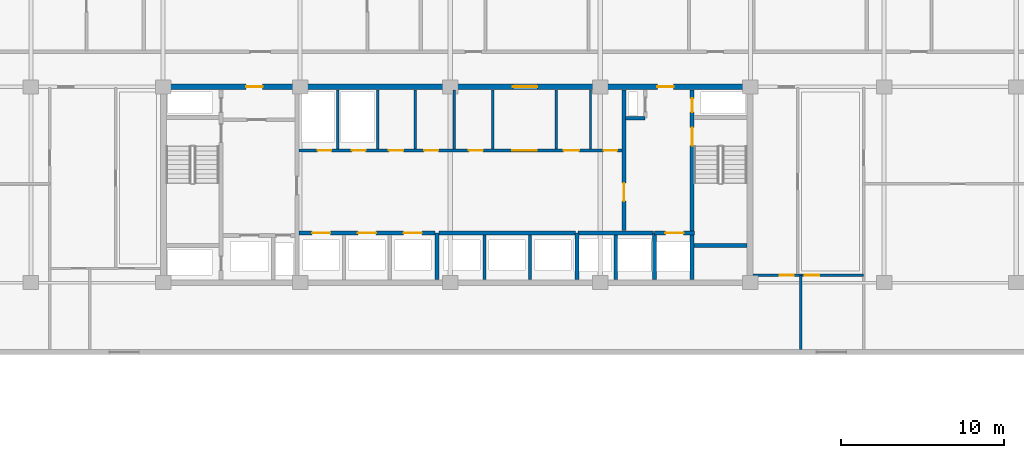
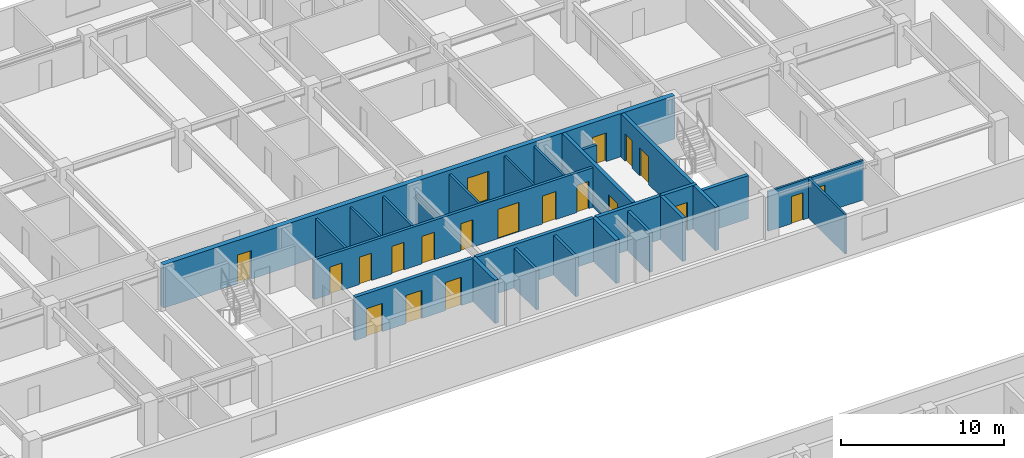
# One storey, part 12 of 22: 25 walls, 20 doors, 20 openings.
"""IFC4 building model written with IfcOpenShell, lengths in metres."""

import ifcopenshell
import ifcopenshell.guid

model = None  # the IFC model being written
_history = None  # IfcOwnerHistory: only IFC2X3 demands one
_inside = {}  # id of a spatial element -> (the spatial element, [elements in it])
_under = {}  # id of a project, library or spatial element -> (it, [spatial elements below it])
_declared = {}  # id of a project -> (the project, [libraries it declares])
_typed = {}  # id of a type object -> (the type object, [elements of that type])
_made_of = {}  # id of a material, layer set ... -> (it, [elements and type objects made of it])


def new_model(schema):
    """Start an empty IFC model of exactly this schema.

    Asked for "IFC4X3", IfcOpenShell would pick the latest addendum, in which some entities
    have other attributes; the version numbers below select the first issue.
    IFC2X3 requires an IfcOwnerHistory on every rooted entity: one is made here for all.
    """
    global model, _history
    if schema == "IFC4X3":
        model = ifcopenshell.file(schema_version=(4, 3, 0, 0))
    else:
        model = ifcopenshell.file(schema=schema)
    _inside.clear()
    _under.clear()
    _declared.clear()
    _typed.clear()
    _made_of.clear()
    _history = None
    if model.schema == "IFC2X3":
        org = make("IfcOrganization", Name="unknown")
        user = make(
            "IfcPersonAndOrganization",
            ThePerson=make("IfcPerson", FamilyName="unknown"),
            TheOrganization=org,
        )
        app = make(
            "IfcApplication",
            ApplicationDeveloper=org,
            Version="unknown",
            ApplicationFullName="unknown",
            ApplicationIdentifier="unknown",
        )
        _history = make(
            "IfcOwnerHistory",
            OwningUser=user,
            OwningApplication=app,
            ChangeAction="ADDED",
            CreationDate=0,
        )
    return model


def make(cls, **values):
    """One entity of the class cls with the attributes given. An attribute that is None is left unset."""
    return model.create_entity(
        cls, **{name: value for name, value in values.items() if value is not None}
    )


def rooted(cls, **values):
    """An entity with a GlobalId (a new one), such as an element, a storey or a relation."""
    return make(cls, GlobalId=ifcopenshell.guid.new(), OwnerHistory=_history, **values)


def si_unit(unit_type, name, prefix=None):
    """IfcSIUnit, for example si_unit("LENGTHUNIT", "METRE", prefix="MILLI")."""
    return make("IfcSIUnit", UnitType=unit_type, Prefix=prefix, Name=name)


def assignment(units):
    """IfcUnitAssignment: the units of a project."""
    return None if units is None else make("IfcUnitAssignment", Units=units)


def point(xyz):
    """IfcCartesianPoint."""
    return None if xyz is None else make("IfcCartesianPoint", Coordinates=xyz)


def direction(xyz):
    """IfcDirection."""
    return None if xyz is None else make("IfcDirection", DirectionRatios=xyz)


def frame(location, z_axis=None, x_axis=None):
    """IfcAxis2Placement3D, a coordinate frame: its origin and axes. An axis left out is left unset."""
    return make(
        "IfcAxis2Placement3D",
        Location=point(location),
        Axis=direction(z_axis),
        RefDirection=direction(x_axis),
    )


def frame_2d(location, x_axis=None):
    """IfcAxis2Placement2D, a coordinate frame in the plane: its origin and x axis."""
    return make(
        "IfcAxis2Placement2D", Location=point(location), RefDirection=direction(x_axis)
    )


def origin():
    """The frame at (0, 0, 0) with its axes left unset."""
    return frame((0.0, 0.0, 0.0))


def place(relative_to, where):
    """IfcLocalPlacement: puts the frame where relative to a parent placement (None: the world)."""
    return make(
        "IfcLocalPlacement", PlacementRelTo=relative_to, RelativePlacement=where
    )


def context(
    kind, dimensions, precision=None, world=None, true_north=None, identifier=None
):
    """IfcGeometricRepresentationContext, for example the 3D "Model" context."""
    return make(
        "IfcGeometricRepresentationContext",
        ContextIdentifier=identifier,
        ContextType=kind,
        CoordinateSpaceDimension=dimensions,
        Precision=precision,
        WorldCoordinateSystem=world,
        TrueNorth=true_north,
    )


def subcontext(parent, identifier, kind, view, scale=None):
    """IfcGeometricRepresentationSubContext, for example "Body" below "Model"."""
    return make(
        "IfcGeometricRepresentationSubContext",
        ContextIdentifier=identifier,
        ContextType=kind,
        ParentContext=parent,
        TargetScale=scale,
        TargetView=view,
    )


def project(units=None, contexts=None):
    """IfcProject with its units and contexts."""
    return rooted(
        "IfcProject",
        Name="project",
        RepresentationContexts=contexts,
        UnitsInContext=assignment(units),
    )


def spatial(cls, under=None, at=None, **own):
    """A site, building, storey or space (cls), placed at a placement, below another one or the project."""
    s = rooted(cls, ObjectPlacement=at, **own)
    if under is not None:
        _under.setdefault(under.id(), (under, []))[1].append(s)
    return s


def profile(cls, at=None, kind="AREA", **sizes):
    """A parametric profile (cls). Its sizes go by their IFC names, for example OverallWidth=200.0."""
    return make(cls, ProfileType=kind, Position=at, **sizes)


def rectangle(**sizes):
    """IfcRectangleProfileDef."""
    return profile("IfcRectangleProfileDef", **sizes)


def extrude(swept, where, along, depth):
    """IfcExtrudedAreaSolid: the profile swept, set in the frame where, extruded along a direction by depth."""
    return make(
        "IfcExtrudedAreaSolid",
        SweptArea=swept,
        Position=where,
        ExtrudedDirection=direction(along),
        Depth=depth,
    )


def shape(context_of_items, identifier, shape_type, items):
    """IfcShapeRepresentation: the items that make up one representation, for example the "Body"."""
    return make(
        "IfcShapeRepresentation",
        ContextOfItems=context_of_items,
        RepresentationIdentifier=identifier,
        RepresentationType=shape_type,
        Items=items,
    )


def material(Name=None, Category=None):
    """IfcMaterial."""
    return make("IfcMaterial", Name=Name, Category=Category)


def layer(
    of_material, thickness, ventilated=None, Name=None, Category=None, Priority=None
):
    """IfcMaterialLayer: one layer of a wall or slab, of a material (None: an air gap)."""
    return make(
        "IfcMaterialLayer",
        Material=of_material,
        LayerThickness=thickness,
        IsVentilated=ventilated,
        Name=Name,
        Category=Category,
        Priority=Priority,
    )


def layer_set(layers, Name=None):
    """IfcMaterialLayerSet."""
    return make("IfcMaterialLayerSet", MaterialLayers=layers, LayerSetName=Name)


def made_of(thing, what):
    """Note that an element or type object is made of a material, layer set ...; save() writes the relation."""
    if what is not None:
        _made_of.setdefault(what.id(), (what, []))[1].append(thing)
    return thing


def type_object(cls, material=None, **own):
    """A type object (cls), such as IfcWallType, which elements share."""
    return made_of(rooted(cls, **own), material)


def element(
    cls,
    number,
    at=None,
    inside=None,
    cuts=None,
    type_object=None,
    material=None,
    context=None,
    identifier="Body",
    shape_type=None,
    held_by="IfcProductDefinitionShape",
    body=None,
    shapes=None,
    **own,
):
    """One element of the class cls, such as IfcWall. Its Tag is "e" and its number.

    at: its placement. inside: the storey or other place that contains it. cuts: it is an
    opening in that element (IfcRelVoidsElement). A single representation is given by context,
    identifier, shape_type and body (its items); several are given by shapes. held_by: the class
    of the entity that holds the representations. save() writes the other relations.
    """
    e = rooted(cls, Tag="e%d" % number, ObjectPlacement=at, **own)
    if body is not None:
        shapes = [shape(context, identifier, shape_type, body)]
    if shapes is not None:
        e.Representation = make(held_by, Representations=shapes)
    if inside is not None:
        _inside.setdefault(inside.id(), (inside, []))[1].append(e)
    if cuts is not None:
        rooted(
            "IfcRelVoidsElement", RelatingBuildingElement=cuts, RelatedOpeningElement=e
        )
    if type_object is not None:
        _typed.setdefault(type_object.id(), (type_object, []))[1].append(e)
    return made_of(e, material)


def fill(opening, filler):
    """IfcRelFillsElement: the door or window that sits in an opening."""
    return rooted(
        "IfcRelFillsElement",
        RelatingOpeningElement=opening,
        RelatedBuildingElement=filler,
    )


def aggregate(whole, parts):
    """IfcRelAggregates: a whole, such as a stair, and the parts it consists of."""
    return rooted("IfcRelAggregates", RelatingObject=whole, RelatedObjects=parts)


def save(model, path):
    """Write the relations noted so far, then the file.

    IfcRelAggregates (storeys below a building ...), IfcRelContainedInSpatialStructure (elements
    in a storey), IfcRelDefinesByType, IfcRelAssociatesMaterial and IfcRelDeclares: one each for
    every whole, place, type object, material and project.
    """
    for whole, parts in _under.values():
        aggregate(whole, parts)
    for where, things in _inside.values():
        rooted(
            "IfcRelContainedInSpatialStructure",
            RelatedElements=things,
            RelatingStructure=where,
        )
    for kind, things in _typed.values():
        rooted("IfcRelDefinesByType", RelatedObjects=things, RelatingType=kind)
    for what, things in _made_of.values():
        rooted("IfcRelAssociatesMaterial", RelatedObjects=things, RelatingMaterial=what)
    for by, libraries in _declared.values():
        rooted("IfcRelDeclares", RelatingContext=by, RelatedDefinitions=libraries)
    model.write(path)


model = new_model("IFC4")

# Units and contexts
model_context = context("Model", 3, precision=1e-05, world=origin(), true_north=direction((0.0, 1.0)))
body_context = subcontext(model_context, "Body", "Model", "MODEL_VIEW")
ifc_project = project(units=[si_unit("LENGTHUNIT", "METRE"), si_unit("AREAUNIT", "SQUARE_METRE"), si_unit("VOLUMEUNIT", "CUBIC_METRE"), si_unit("PLANEANGLEUNIT", "RADIAN"), si_unit("MASSUNIT", "GRAM", prefix="KILO")], contexts=[model_context])

# Site, building, storey
site_placement = place(None, origin())
site = spatial("IfcSite", under=ifc_project, at=site_placement, CompositionType="ELEMENT")
building_placement = place(site_placement, origin())
building = spatial("IfcBuilding", under=site, at=building_placement, Name="Korimba Cascade Residences", CompositionType="ELEMENT")
storey_placement = place(building_placement, frame((0.0, 0.0, 90.550048828125)))
storey = spatial("IfcBuildingStorey", under=building, at=storey_placement, Name="L25", CompositionType="ELEMENT", Elevation=90.550048828125)

# Wall, openings, doors
ifc_material_1 = material(Name="Concrete C65/80", Category="concrete")
ifc_layer_1 = layer(ifc_material_1, 0.35009765625)
ifc_layer_set_1 = layer_set([ifc_layer_1], Name="Concrete C65/80")
wall_type_1 = type_object("IfcWallType", Name="WAL-CORE-350", PredefinedType="SHEAR", material=ifc_layer_set_1)
wall_1_placement = place(storey_placement, frame((75.949951171875, 67.199951171875, 0.0), z_axis=(0.0, 0.0, 1.0), x_axis=(1.0, 0.0, 0.0)))
wall_1 = element("IfcWall", 1, at=wall_1_placement, inside=storey, type_object=wall_type_1, Name="L25 Core Shear Wall CW-L25-T1-N", PredefinedType="SHEAR", context=body_context, shape_type="SweptSolid", body=[
    extrude(rectangle(XDim=36.300048828125, YDim=0.35009765625, at=frame_2d((18.14990234375, 0.0))), origin(), (0.0, 0.0, 1.0), 3.25),
])
opening_1_placement = place(wall_1_placement, frame((5.25, 0.0, 0.0)))
opening_1 = element("IfcOpeningElement", 2, at=opening_1_placement, cuts=wall_1, Name="Opening D-FD5", PredefinedType="OPENING", context=body_context, shape_type="SweptSolid", body=[
    extrude(rectangle(XDim=1.0, YDim=2.14990234375, at=frame_2d((0.5, 1.074951171875))), frame((0.0, 0.18505859375, 0.0), z_axis=(0.0, -1.0, 0.0), x_axis=(1.0, 0.0, 0.0)), (0.0, 0.0, 1.0), 0.3701171875),
])
opening_2_placement = place(wall_1_placement, frame((21.60009765625, 0.0, 0.0)))
opening_2 = element("IfcOpeningElement", 3, at=opening_2_placement, cuts=wall_1, Name="Opening D-FD8", PredefinedType="OPENING", context=body_context, shape_type="SweptSolid", body=[
    extrude(rectangle(XDim=1.5, YDim=2.199951171875, at=frame_2d((0.75, 1.10009765625))), frame((0.0, 0.18505859375, 0.0), z_axis=(0.0, -1.0, 0.0), x_axis=(1.0, 0.0, 0.0)), (0.0, 0.0, 1.0), 0.3701171875),
])
opening_3_placement = place(wall_1_placement, frame((30.449951171875, 0.0, 0.0)))
opening_3 = element("IfcOpeningElement", 4, at=opening_3_placement, cuts=wall_1, Name="Opening D-FD5", PredefinedType="OPENING", context=body_context, shape_type="SweptSolid", body=[
    extrude(rectangle(XDim=1.0, YDim=2.14990234375, at=frame_2d((0.5, 1.074951171875))), frame((0.0, 0.18505859375, 0.0), z_axis=(0.0, -1.0, 0.0), x_axis=(1.0, 0.0, 0.0)), (0.0, 0.0, 1.0), 0.3701171875),
])
ifc_material_2 = material(Name="Fire-Rated Acoustic Timber Vestibule Door", Category="wood")
door_type_1 = type_object("IfcDoorType", Name="DR-FD90-1000", OperationType="NOTDEFINED", PredefinedType="DOOR", material=ifc_material_2)
door_1_placement = place(opening_1_placement, origin())
door_1 = element("IfcDoor", 5, at=door_1_placement, inside=storey, type_object=door_type_1, Name="L25 T1 West Core Vestibule Fire Door", OperationType="SINGLE_SWING_RIGHT", OverallHeight=2.14990234375, OverallWidth=1.0, PredefinedType="DOOR", context=body_context, shape_type="SweptSolid", body=[
    extrude(rectangle(XDim=1.0, YDim=2.14990234375, at=frame_2d((0.5, 1.074951171875))), frame((0.0, 0.02490234375, 0.0), z_axis=(0.0, -1.0, 0.0), x_axis=(1.0, 0.0, 0.0)), (0.0, 0.0, 1.0), 0.050048828125),
])
fill(opening_1, door_1)
door_2_placement = place(opening_3_placement, origin())
door_2 = element("IfcDoor", 6, at=door_2_placement, inside=storey, type_object=door_type_1, Name="L25 T1 East Firefighting Vestibule Fire Door", OperationType="SINGLE_SWING_LEFT", OverallHeight=2.14990234375, OverallWidth=1.0, PredefinedType="DOOR", context=body_context, shape_type="SweptSolid", body=[
    extrude(rectangle(XDim=1.0, YDim=2.14990234375, at=frame_2d((0.5, 1.074951171875))), frame((0.0, 0.02490234375, 0.0), z_axis=(0.0, -1.0, 0.0), x_axis=(1.0, 0.0, 0.0)), (0.0, 0.0, 1.0), 0.050048828125),
])
fill(opening_3, door_2)
ifc_material_3 = material(Name="Fire-Rated Glazed Lift Lobby Double Door", Category="glass")
door_type_2 = type_object("IfcDoorType", Name="DR-FD90-1500", OperationType="NOTDEFINED", PredefinedType="DOOR", material=ifc_material_3)
door_3_placement = place(opening_2_placement, origin())
door_3 = element("IfcDoor", 7, at=door_3_placement, inside=storey, type_object=door_type_2, Name="L25 T1 Lift Lobby Fire Door", OperationType="DOUBLE_DOOR_SINGLE_SWING", OverallHeight=2.199951171875, OverallWidth=1.5, PredefinedType="DOOR", context=body_context, shape_type="SweptSolid", body=[
    extrude(rectangle(XDim=1.5, YDim=2.199951171875, at=frame_2d((0.75, 1.10009765625))), frame((0.0, 0.02490234375, 0.0), z_axis=(0.0, -1.0, 0.0), x_axis=(1.0, 0.0, 0.0)), (0.0, 0.0, 1.0), 0.050048828125),
])
fill(opening_2, door_3)

# Walls
ifc_material_4 = material(Name="Insulated Acoustic Stud Partition", Category="gypsum")
ifc_layer_2 = layer(ifc_material_4, 0.14990234375)
ifc_layer_set_2 = layer_set([ifc_layer_2], Name="Insulated Acoustic Stud Partition")
wall_type_2 = type_object("IfcWallType", Name="WAL-PART-150", PredefinedType="PARTITIONING", material=ifc_layer_set_2)
for number, where, z_axis, x_axis, name in (
    (8, (86.800048828125, 63.39990234375, 0.0), (0.0, 0.0, 1.0), (0.0, 1.0, 0.0), "L25 Partition Wall CW-L25-T1-ERDIV"),
    (9, (89.25, 63.39990234375, 0.0), (0.0, 0.0, 1.0), (0.0, 1.0, 0.0), "L25 Partition Wall CW-L25-T1-PRDIV"),
    (10, (91.550048828125, 63.39990234375, 0.0), (0.0, 0.0, 1.0), (0.0, 1.0, 0.0), "L25 Partition Wall CW-L25-T1-CA1W1"),
):
    element("IfcWall", number, at=place(storey_placement, frame(where, z_axis=z_axis, x_axis=x_axis)), inside=storey, type_object=wall_type_2, Name=name, PredefinedType="PARTITIONING", context=body_context, shape_type="SweptSolid", body=[
        extrude(rectangle(XDim=3.60009765625, YDim=0.14990234375, at=frame_2d((1.800048828125, 0.0))), origin(), (0.0, 0.0, 1.0), 2.969970703125),
    ])
wall_2_placement = place(storey_placement, frame((93.949951171875, 63.39990234375, 0.0), z_axis=(0.0, 0.0, 1.0), x_axis=(0.0, 1.0, 0.0)))
element("IfcWall", 11, at=wall_2_placement, inside=storey, type_object=wall_type_2, Name="L25 Partition Wall CW-L25-T1-CA1W2", PredefinedType="PARTITIONING", context=body_context, shape_type="SweptSolid", body=[
    extrude(rectangle(XDim=3.60009765625, YDim=0.14990234375, at=frame_2d((1.800048828125, 0.0))), origin(), (0.0, 0.0, 1.0), 2.277099609375),
])
for number, where, z_axis, x_axis, name in (
    (12, (102.300048828125, 63.39990234375, 0.0), (0.0, 0.0, 1.0), (0.0, 1.0, 0.0), "L25 Partition Wall CW-L25-T1-CA1E1"),
    (13, (96.300048828125, 63.39990234375, 0.0), (0.0, 0.0, 1.0), (0.0, 1.0, 0.0), "L25 Partition Wall CW-L25-T1-THW"),
    (14, (100.199951171875, 63.39990234375, 0.0), (0.0, 0.0, 1.0), (0.0, 1.0, 0.0), "L25 Partition Wall CW-L25-T1-THE"),
):
    element("IfcWall", number, at=place(storey_placement, frame(where, z_axis=z_axis, x_axis=x_axis)), inside=storey, type_object=wall_type_2, Name=name, PredefinedType="PARTITIONING", context=body_context, shape_type="SweptSolid", body=[
        extrude(rectangle(XDim=3.60009765625, YDim=0.14990234375, at=frame_2d((1.800048828125, 0.0))), origin(), (0.0, 0.0, 1.0), 2.969970703125),
    ])
wall_3_placement = place(storey_placement, frame((115.199951171875, 51.10009765625, 0.0), z_axis=(0.0, 0.0, 1.0), x_axis=(0.0, 1.0, 0.0)))
element("IfcWall", 15, at=wall_3_placement, inside=storey, type_object=wall_type_2, Name="L25 Partition Wall WAL-L25-T1-FE-VS", PredefinedType="PARTITIONING", context=body_context, shape_type="SweptSolid", body=[
    extrude(rectangle(XDim=4.5498046875, YDim=0.14990234375, at=frame_2d((2.27490234375, 0.0))), origin(), (0.0, 0.0, 1.0), 2.969970703125),
])

# Wall, openings, doors
wall_4_placement = place(storey_placement, frame((112.27001953125, 55.64990234375, 0.0), z_axis=(0.0, 0.0, 1.0), x_axis=(1.0, 0.0, 0.0)))
wall_4 = element("IfcWall", 16, at=wall_4_placement, inside=storey, type_object=wall_type_2, Name="L25 Partition Wall WAL-L25-T1-FE-H", PredefinedType="PARTITIONING", context=body_context, shape_type="SweptSolid", body=[
    extrude(rectangle(XDim=6.760009765625, YDim=0.14990234375, at=frame_2d((3.3798828125, 0.0))), origin(), (0.0, 0.0, 1.0), 2.969970703125),
])
opening_4_placement = place(wall_4_placement, frame((1.6396484375, 0.0, 0.0)))
opening_4 = element("IfcOpeningElement", 17, at=opening_4_placement, cuts=wall_4, Name="Opening D-BT1", PredefinedType="OPENING", context=body_context, shape_type="SweptSolid", body=[
    extrude(rectangle(XDim=0.840087890625, YDim=2.0400390625, at=frame_2d((0.419921875, 1.02001953125))), frame((0.0, 0.0849609375, 0.0), z_axis=(0.0, -1.0, 0.0), x_axis=(1.0, 0.0, 0.0)), (0.0, 0.0, 1.0), 0.169921875),
])
opening_5_placement = place(wall_4_placement, frame((3.160400390625, 0.0, 0.0)))
opening_5 = element("IfcOpeningElement", 18, at=opening_5_placement, cuts=wall_4, Name="Opening D-IN2", PredefinedType="OPENING", context=body_context, shape_type="SweptSolid", body=[
    extrude(rectangle(XDim=0.8798828125, YDim=2.06005859375, at=frame_2d((0.43994140625, 1.030029296875))), frame((0.0, 0.0849609375, 0.0), z_axis=(0.0, -1.0, 0.0), x_axis=(1.0, 0.0, 0.0)), (0.0, 0.0, 1.0), 0.169921875),
])
ifc_material_5 = material(Name="Moisture-Resistant Bathroom Timber Door", Category="wood")
door_type_3 = type_object("IfcDoorType", Name="DR-INT-850", OperationType="NOTDEFINED", PredefinedType="DOOR", material=ifc_material_5)
door_4_placement = place(opening_4_placement, origin())
door_4 = element("IfcDoor", 19, at=door_4_placement, inside=storey, type_object=door_type_3, Name="L25-T1-FE Bathroom Door", OperationType="SINGLE_SWING_RIGHT", OverallHeight=2.0400390625, OverallWidth=0.840087890625, PredefinedType="DOOR", context=body_context, shape_type="SweptSolid", body=[
    extrude(rectangle(XDim=0.840087890625, YDim=2.0400390625, at=frame_2d((0.419921875, 1.02001953125))), frame((0.0, 0.02490234375, 0.0), z_axis=(0.0, -1.0, 0.0), x_axis=(1.0, 0.0, 0.0)), (0.0, 0.0, 1.0), 0.050048828125),
])
fill(opening_4, door_4)
ifc_material_6 = material(Name="Acoustic Timber Bedroom Door", Category="wood")
door_type_4 = type_object("IfcDoorType", Name="DR-INT-880", OperationType="NOTDEFINED", PredefinedType="DOOR", material=ifc_material_6)
door_5_placement = place(opening_5_placement, origin())
door_5 = element("IfcDoor", 20, at=door_5_placement, inside=storey, type_object=door_type_4, Name="L25-T1-FE Bedroom Door", OperationType="SINGLE_SWING_LEFT", OverallHeight=2.06005859375, OverallWidth=0.8798828125, PredefinedType="DOOR", context=body_context, shape_type="SweptSolid", body=[
    extrude(rectangle(XDim=0.8798828125, YDim=2.06005859375, at=frame_2d((0.43994140625, 1.030029296875))), frame((0.0, 0.02490234375, 0.0), z_axis=(0.0, -1.0, 0.0), x_axis=(1.0, 0.0, 0.0)), (0.0, 0.0, 1.0), 0.050048828125),
])
fill(opening_5, door_5)

# Walls
ifc_material_7 = material(Name="Concrete C40/50", Category="concrete")
ifc_layer_3 = layer(ifc_material_7, 0.199951171875)
ifc_layer_set_3 = layer_set([ifc_layer_3], Name="Concrete C40/50")
wall_type_3 = type_object("IfcWallType", Name="WAL-PART-200", PredefinedType="PARTITIONING", material=ifc_layer_set_3)
for number, where, z_axis, x_axis, name in (
    (21, (95.800048828125, 55.39990234375, 0.0), (0.0, 0.0, 1.0), (0.0, 1.0, 0.0), "L25 Partition Wall CW-L25-T1-B2D1"),
    (22, (98.60009765625, 55.39990234375, 0.0), (0.0, 0.0, 1.0), (0.0, 1.0, 0.0), "L25 Partition Wall CW-L25-T1-B2D2"),
    (23, (103.85009765625, 55.39990234375, 0.0), (0.0, 0.0, 1.0), (0.0, 1.0, 0.0), "L25 Partition Wall CW-L25-T1-B3D1"),
):
    element("IfcWall", number, at=place(storey_placement, frame(where, z_axis=z_axis, x_axis=x_axis)), inside=storey, type_object=wall_type_3, Name=name, PredefinedType="PARTITIONING", context=body_context, shape_type="SweptSolid", body=[
        extrude(rectangle(XDim=2.72021484375, YDim=0.199951171875, at=frame_2d((1.360107421875, 0.0))), origin(), (0.0, 0.0, 1.0), 2.969970703125),
    ])

# Wall, openings, doors
wall_5_placement = place(storey_placement, frame((84.419921875, 63.300048828125, 0.0), z_axis=(0.0, 0.0, 1.0), x_axis=(1.0, 0.0, 0.0)))
wall_5 = element("IfcWall", 24, at=wall_5_placement, inside=storey, type_object=wall_type_3, Name="L25 Partition Wall CW-L25-T1-SRVROW", PredefinedType="PARTITIONING", context=body_context, shape_type="SweptSolid", body=[
    extrude(rectangle(XDim=19.830078125, YDim=0.199951171875, at=frame_2d((9.9150390625, 0.0))), origin(), (0.0, 0.0, 1.0), 2.969970703125),
])
opening_6_placement = place(wall_5_placement, frame((1.14990234375, 0.0, 0.0)))
opening_6 = element("IfcOpeningElement", 25, at=opening_6_placement, cuts=wall_5, Name="Opening D-RS1", PredefinedType="OPENING", context=body_context, shape_type="SweptSolid", body=[
    extrude(rectangle(XDim=0.85009765625, YDim=2.050048828125, at=frame_2d((0.425048828125, 1.02490234375))), frame((0.0, 0.10986328125, 0.0), z_axis=(0.0, -1.0, 0.0), x_axis=(1.0, 0.0, 0.0)), (0.0, 0.0, 1.0), 0.219970703125),
])
opening_7_placement = place(wall_5_placement, frame((3.25, 0.0, 0.0)))
opening_7 = element("IfcOpeningElement", 26, at=opening_7_placement, cuts=wall_5, Name="Opening D-RS1", PredefinedType="OPENING", context=body_context, shape_type="SweptSolid", body=[
    extrude(rectangle(XDim=0.85009765625, YDim=2.050048828125, at=frame_2d((0.425048828125, 1.02490234375))), frame((0.0, 0.10986328125, 0.0), z_axis=(0.0, -1.0, 0.0), x_axis=(1.0, 0.0, 0.0)), (0.0, 0.0, 1.0), 0.219970703125),
])
opening_8_placement = place(wall_5_placement, frame((13.080078125, 0.0, 0.0)))
opening_8 = element("IfcOpeningElement", 27, at=opening_8_placement, cuts=wall_5, Name="Opening D-FD8", PredefinedType="OPENING", context=body_context, shape_type="SweptSolid", body=[
    extrude(rectangle(XDim=1.5, YDim=2.199951171875, at=frame_2d((0.75, 1.10009765625))), frame((0.0, 0.10986328125, 0.0), z_axis=(0.0, -1.0, 0.0), x_axis=(1.0, 0.0, 0.0)), (0.0, 0.0, 1.0), 0.219970703125),
])
opening_9_placement = place(wall_5_placement, frame((5.530029296875, 0.0, 0.0)))
opening_9 = element("IfcOpeningElement", 28, at=opening_9_placement, cuts=wall_5, Name="Opening D-IN2", PredefinedType="OPENING", context=body_context, shape_type="SweptSolid", body=[
    extrude(rectangle(XDim=0.8798828125, YDim=2.06005859375, at=frame_2d((0.43994140625, 1.030029296875))), frame((0.0, 0.10986328125, 0.0), z_axis=(0.0, -1.0, 0.0), x_axis=(1.0, 0.0, 0.0)), (0.0, 0.0, 1.0), 0.219970703125),
])
opening_10_placement = place(wall_5_placement, frame((7.679931640625, 0.0, 0.0)))
opening_10 = element("IfcOpeningElement", 29, at=opening_10_placement, cuts=wall_5, Name="Opening D-IN2", PredefinedType="OPENING", context=body_context, shape_type="SweptSolid", body=[
    extrude(rectangle(XDim=0.8798828125, YDim=2.06005859375, at=frame_2d((0.43994140625, 1.030029296875))), frame((0.0, 0.10986328125, 0.0), z_axis=(0.0, -1.0, 0.0), x_axis=(1.0, 0.0, 0.0)), (0.0, 0.0, 1.0), 0.219970703125),
])
opening_11_placement = place(wall_5_placement, frame((10.429931640625, 0.0, 0.0)))
opening_11 = element("IfcOpeningElement", 30, at=opening_11_placement, cuts=wall_5, Name="Opening D-RS1", PredefinedType="OPENING", context=body_context, shape_type="SweptSolid", body=[
    extrude(rectangle(XDim=0.85009765625, YDim=2.050048828125, at=frame_2d((0.425048828125, 1.02490234375))), frame((0.0, 0.10986328125, 0.0), z_axis=(0.0, -1.0, 0.0), x_axis=(1.0, 0.0, 0.0)), (0.0, 0.0, 1.0), 0.219970703125),
])
opening_12_placement = place(wall_5_placement, frame((16.22998046875, 0.0, 0.0)))
opening_12 = element("IfcOpeningElement", 31, at=opening_12_placement, cuts=wall_5, Name="Opening D-AC1", PredefinedType="OPENING", context=body_context, shape_type="SweptSolid", body=[
    extrude(rectangle(XDim=0.9599609375, YDim=2.10009765625, at=frame_2d((0.47998046875, 1.050048828125))), frame((0.0, 0.10986328125, 0.0), z_axis=(0.0, -1.0, 0.0), x_axis=(1.0, 0.0, 0.0)), (0.0, 0.0, 1.0), 0.219970703125),
])
opening_13_placement = place(wall_5_placement, frame((18.679931640625, 0.0, 0.0)))
opening_13 = element("IfcOpeningElement", 32, at=opening_13_placement, cuts=wall_5, Name="Opening D-BT1", PredefinedType="OPENING", context=body_context, shape_type="SweptSolid", body=[
    extrude(rectangle(XDim=0.840087890625, YDim=2.0400390625, at=frame_2d((0.419921875, 1.02001953125))), frame((0.0, 0.10986328125, 0.0), z_axis=(0.0, -1.0, 0.0), x_axis=(1.0, 0.0, 0.0)), (0.0, 0.0, 1.0), 0.219970703125),
])
ifc_material_8 = material(Name="Accessible Acoustic Timber WC Door", Category="wood")
door_type_5 = type_object("IfcDoorType", Name="DR-ACC-950", OperationType="NOTDEFINED", PredefinedType="DOOR", material=ifc_material_8)
door_6_placement = place(opening_12_placement, origin())
door_6 = element("IfcDoor", 33, at=door_6_placement, inside=storey, type_object=door_type_5, Name="L25 Accessible Staff WC Door", OperationType="SINGLE_SWING_LEFT", OverallHeight=2.10009765625, OverallWidth=0.9599609375, PredefinedType="DOOR", context=body_context, shape_type="SweptSolid", body=[
    extrude(rectangle(XDim=0.9599609375, YDim=2.10009765625, at=frame_2d((0.47998046875, 1.050048828125))), frame((0.0, 0.02490234375, 0.0), z_axis=(0.0, -1.0, 0.0), x_axis=(1.0, 0.0, 0.0)), (0.0, 0.0, 1.0), 0.050048828125),
])
fill(opening_12, door_6)
ifc_material_9 = material(Name="Fire-Rated Steel Riser Access Door", Category="steel")
door_type_6 = type_object("IfcDoorType", Name="DR-FD60-850", OperationType="NOTDEFINED", PredefinedType="DOOR", material=ifc_material_9)
door_7_placement = place(opening_6_placement, origin())
door_7 = element("IfcDoor", 34, at=door_7_placement, inside=storey, type_object=door_type_6, Name="L25 Electrical Riser Door", OperationType="SINGLE_SWING_RIGHT", OverallHeight=2.050048828125, OverallWidth=0.85009765625, PredefinedType="DOOR", context=body_context, shape_type="SweptSolid", body=[
    extrude(rectangle(XDim=0.85009765625, YDim=2.050048828125, at=frame_2d((0.425048828125, 1.02490234375))), frame((0.0, 0.02490234375, 0.0), z_axis=(0.0, -1.0, 0.0), x_axis=(1.0, 0.0, 0.0)), (0.0, 0.0, 1.0), 0.050048828125),
])
fill(opening_6, door_7)
door_8_placement = place(opening_7_placement, origin())
door_8 = element("IfcDoor", 35, at=door_8_placement, inside=storey, type_object=door_type_6, Name="L25 Plumbing Riser Door", OperationType="SINGLE_SWING_LEFT", OverallHeight=2.050048828125, OverallWidth=0.85009765625, PredefinedType="DOOR", context=body_context, shape_type="SweptSolid", body=[
    extrude(rectangle(XDim=0.85009765625, YDim=2.050048828125, at=frame_2d((0.425048828125, 1.02490234375))), frame((0.0, 0.02490234375, 0.0), z_axis=(0.0, -1.0, 0.0), x_axis=(1.0, 0.0, 0.0)), (0.0, 0.0, 1.0), 0.050048828125),
])
fill(opening_7, door_8)
door_9_placement = place(opening_11_placement, origin())
door_9 = element("IfcDoor", 36, at=door_9_placement, inside=storey, type_object=door_type_6, Name="L25 IT Room Door", OperationType="SINGLE_SWING_RIGHT", OverallHeight=2.050048828125, OverallWidth=0.85009765625, PredefinedType="DOOR", context=body_context, shape_type="SweptSolid", body=[
    extrude(rectangle(XDim=0.85009765625, YDim=2.050048828125, at=frame_2d((0.425048828125, 1.02490234375))), frame((0.0, 0.02490234375, 0.0), z_axis=(0.0, -1.0, 0.0), x_axis=(1.0, 0.0, 0.0)), (0.0, 0.0, 1.0), 0.050048828125),
])
fill(opening_11, door_9)
door_10_placement = place(opening_8_placement, origin())
door_10 = element("IfcDoor", 37, at=door_10_placement, inside=storey, type_object=door_type_2, Name="L25 Lift Lobby Foyer Archway Door", OperationType="DOUBLE_DOOR_SINGLE_SWING", OverallHeight=2.199951171875, OverallWidth=1.5, PredefinedType="DOOR", context=body_context, shape_type="SweptSolid", body=[
    extrude(rectangle(XDim=1.5, YDim=2.199951171875, at=frame_2d((0.75, 1.10009765625))), frame((0.0, 0.02490234375, 0.0), z_axis=(0.0, -1.0, 0.0), x_axis=(1.0, 0.0, 0.0)), (0.0, 0.0, 1.0), 0.050048828125),
])
fill(opening_8, door_10)
door_11_placement = place(opening_13_placement, origin())
door_11 = element("IfcDoor", 38, at=door_11_placement, inside=storey, type_object=door_type_3, Name="L25 Vending Room Door", OperationType="SINGLE_SWING_RIGHT", OverallHeight=2.0400390625, OverallWidth=0.840087890625, PredefinedType="DOOR", context=body_context, shape_type="SweptSolid", body=[
    extrude(rectangle(XDim=0.840087890625, YDim=2.0400390625, at=frame_2d((0.419921875, 1.02001953125))), frame((0.0, 0.02490234375, 0.0), z_axis=(0.0, -1.0, 0.0), x_axis=(1.0, 0.0, 0.0)), (0.0, 0.0, 1.0), 0.050048828125),
])
fill(opening_13, door_11)
door_12_placement = place(opening_9_placement, origin())
door_12 = element("IfcDoor", 39, at=door_12_placement, inside=storey, type_object=door_type_4, Name="L25 Cleaners Door", OperationType="SINGLE_SWING_RIGHT", OverallHeight=2.06005859375, OverallWidth=0.8798828125, PredefinedType="DOOR", context=body_context, shape_type="SweptSolid", body=[
    extrude(rectangle(XDim=0.8798828125, YDim=2.06005859375, at=frame_2d((0.43994140625, 1.030029296875))), frame((0.0, 0.02490234375, 0.0), z_axis=(0.0, -1.0, 0.0), x_axis=(1.0, 0.0, 0.0)), (0.0, 0.0, 1.0), 0.050048828125),
])
fill(opening_9, door_12)
door_13_placement = place(opening_10_placement, origin())
door_13 = element("IfcDoor", 40, at=door_13_placement, inside=storey, type_object=door_type_4, Name="L25 Pantry Door", OperationType="SINGLE_SWING_LEFT", OverallHeight=2.06005859375, OverallWidth=0.8798828125, PredefinedType="DOOR", context=body_context, shape_type="SweptSolid", body=[
    extrude(rectangle(XDim=0.8798828125, YDim=2.06005859375, at=frame_2d((0.43994140625, 1.030029296875))), frame((0.0, 0.02490234375, 0.0), z_axis=(0.0, -1.0, 0.0), x_axis=(1.0, 0.0, 0.0)), (0.0, 0.0, 1.0), 0.050048828125),
])
fill(opening_10, door_13)

# Wall
wall_6_placement = place(storey_placement, frame((104.449951171875, 65.280029296875, 0.0), z_axis=(0.0, 0.0, 1.0), x_axis=(1.0, 0.0, 0.0)))
element("IfcWall", 41, at=wall_6_placement, inside=storey, type_object=wall_type_3, Name="L25 Partition Wall CW-L25-T1-HYDW2S", PredefinedType="PARTITIONING", context=body_context, shape_type="SweptSolid", body=[
    extrude(rectangle(XDim=1.199951171875, YDim=0.199951171875, at=frame_2d((0.60009765625, 0.0))), origin(), (0.0, 0.0, 1.0), 2.969970703125),
])

# Wall, openings, doors
ifc_material_10 = material(Name="Concrete C50/60", Category="concrete")
ifc_layer_4 = layer(ifc_material_10, 0.25)
ifc_layer_set_4 = layer_set([ifc_layer_4], Name="Concrete C50/60")
wall_type_4 = type_object("IfcWallType", Name="WAL-SHAFT-250", PredefinedType="SHEAR", material=ifc_layer_set_4)
wall_7_placement = place(storey_placement, frame((84.419921875, 58.25, 0.0), z_axis=(0.0, 0.0, 1.0), x_axis=(1.0, 0.0, 0.0)))
wall_7 = element("IfcWall", 42, at=wall_7_placement, inside=storey, type_object=wall_type_4, Name="L25 Core Shear Wall CW-L25-T1-B1N", PredefinedType="SHEAR", context=body_context, shape_type="SweptSolid", body=[
    extrude(rectangle(XDim=8.360107421875, YDim=0.25, at=frame_2d((4.18017578125, 0.0))), origin(), (0.0, 0.0, 1.0), 3.25),
])
opening_14_placement = place(wall_7_placement, frame((0.820068359375, 0.0, 0.0)))
opening_14 = element("IfcOpeningElement", 43, at=opening_14_placement, cuts=wall_7, Name="Opening LD-01", PredefinedType="OPENING", context=body_context, shape_type="SweptSolid", body=[
    extrude(rectangle(XDim=1.1201171875, YDim=2.1201171875, at=frame_2d((0.56005859375, 1.06005859375))), frame((0.0, 0.135009765625, 0.0), z_axis=(0.0, -1.0, 0.0), x_axis=(1.0, 0.0, 0.0)), (0.0, 0.0, 1.0), 0.27001953125),
])
opening_15_placement = place(wall_7_placement, frame((3.6201171875, 0.0, 0.0)))
opening_15 = element("IfcOpeningElement", 44, at=opening_15_placement, cuts=wall_7, Name="Opening LD-01", PredefinedType="OPENING", context=body_context, shape_type="SweptSolid", body=[
    extrude(rectangle(XDim=1.1201171875, YDim=2.1201171875, at=frame_2d((0.56005859375, 1.06005859375))), frame((0.0, 0.135009765625, 0.0), z_axis=(0.0, -1.0, 0.0), x_axis=(1.0, 0.0, 0.0)), (0.0, 0.0, 1.0), 0.27001953125),
])
opening_16_placement = place(wall_7_placement, frame((6.419921875, 0.0, 0.0)))
opening_16 = element("IfcOpeningElement", 45, at=opening_16_placement, cuts=wall_7, Name="Opening LD-01", PredefinedType="OPENING", context=body_context, shape_type="SweptSolid", body=[
    extrude(rectangle(XDim=1.1201171875, YDim=2.1201171875, at=frame_2d((0.56005859375, 1.06005859375))), frame((0.0, 0.135009765625, 0.0), z_axis=(0.0, -1.0, 0.0), x_axis=(1.0, 0.0, 0.0)), (0.0, 0.0, 1.0), 0.27001953125),
])
ifc_material_11 = material(Name="Stainless Steel Lift Landing Sliding Door", Category="steel")
door_type_7 = type_object("IfcDoorType", Name="DR-LIFT-1100", OperationType="NOTDEFINED", PredefinedType="DOOR", material=ifc_material_11)
door_14_placement = place(opening_14_placement, origin())
door_14 = element("IfcDoor", 46, at=door_14_placement, inside=storey, type_object=door_type_7, Name="L25 Lift Landing Door PL-W1", OperationType="SLIDING_TO_LEFT", OverallHeight=2.1201171875, OverallWidth=1.1201171875, PredefinedType="DOOR", context=body_context, shape_type="SweptSolid", body=[
    extrude(rectangle(XDim=1.1201171875, YDim=2.1201171875, at=frame_2d((0.56005859375, 1.06005859375))), frame((0.0, 0.02490234375, 0.0), z_axis=(0.0, -1.0, 0.0), x_axis=(1.0, 0.0, 0.0)), (0.0, 0.0, 1.0), 0.050048828125),
])
fill(opening_14, door_14)
door_15_placement = place(opening_15_placement, origin())
door_15 = element("IfcDoor", 47, at=door_15_placement, inside=storey, type_object=door_type_7, Name="L25 Lift Landing Door PL-W2", OperationType="SLIDING_TO_LEFT", OverallHeight=2.1201171875, OverallWidth=1.1201171875, PredefinedType="DOOR", context=body_context, shape_type="SweptSolid", body=[
    extrude(rectangle(XDim=1.1201171875, YDim=2.1201171875, at=frame_2d((0.56005859375, 1.06005859375))), frame((0.0, 0.02490234375, 0.0), z_axis=(0.0, -1.0, 0.0), x_axis=(1.0, 0.0, 0.0)), (0.0, 0.0, 1.0), 0.050048828125),
])
fill(opening_15, door_15)
door_16_placement = place(opening_16_placement, origin())
door_16 = element("IfcDoor", 48, at=door_16_placement, inside=storey, type_object=door_type_7, Name="L25 Lift Landing Door PL-W3", OperationType="SLIDING_TO_LEFT", OverallHeight=2.1201171875, OverallWidth=1.1201171875, PredefinedType="DOOR", context=body_context, shape_type="SweptSolid", body=[
    extrude(rectangle(XDim=1.1201171875, YDim=2.1201171875, at=frame_2d((0.56005859375, 1.06005859375))), frame((0.0, 0.02490234375, 0.0), z_axis=(0.0, -1.0, 0.0), x_axis=(1.0, 0.0, 0.0)), (0.0, 0.0, 1.0), 0.050048828125),
])
fill(opening_16, door_16)

# Walls
wall_8_placement = place(storey_placement, frame((92.89990234375, 55.39990234375, 0.0), z_axis=(0.0, 0.0, 1.0), x_axis=(0.0, 1.0, 0.0)))
element("IfcWall", 49, at=wall_8_placement, inside=storey, type_object=wall_type_4, Name="L25 Core Shear Wall CW-L25-T1-B12DIV", PredefinedType="SHEAR", context=body_context, shape_type="SweptSolid", body=[
    extrude(rectangle(XDim=2.85009765625, YDim=0.25, at=frame_2d((1.425048828125, 0.0))), origin(), (0.0, 0.0, 1.0), 3.25),
])
wall_9_placement = place(storey_placement, frame((93.02001953125, 58.25, 0.0), z_axis=(0.0, 0.0, 1.0), x_axis=(1.0, 0.0, 0.0)))
element("IfcWall", 50, at=wall_9_placement, inside=storey, type_object=wall_type_4, Name="L25 Core Shear Wall CW-L25-T1-B2N", PredefinedType="SHEAR", context=body_context, shape_type="SweptSolid", body=[
    extrude(rectangle(XDim=8.35986328125, YDim=0.25, at=frame_2d((4.179931640625, 0.0))), origin(), (0.0, 0.0, 1.0), 3.25),
])
wall_10_placement = place(storey_placement, frame((101.47998046875, 55.39990234375, 0.0), z_axis=(0.0, 0.0, 1.0), x_axis=(0.0, 1.0, 0.0)))
element("IfcWall", 51, at=wall_10_placement, inside=storey, type_object=wall_type_4, Name="L25 Core Shear Wall CW-L25-T1-B23DIV", PredefinedType="SHEAR", context=body_context, shape_type="SweptSolid", body=[
    extrude(rectangle(XDim=2.85009765625, YDim=0.25, at=frame_2d((1.425048828125, 0.0))), origin(), (0.0, 0.0, 1.0), 3.25),
])
wall_11_placement = place(storey_placement, frame((101.550048828125, 58.25, 0.0), z_axis=(0.0, 0.0, 1.0), x_axis=(1.0, 0.0, 0.0)))
element("IfcWall", 52, at=wall_11_placement, inside=storey, type_object=wall_type_4, Name="L25 Core Shear Wall CW-L25-T1-B3N", PredefinedType="SHEAR", context=body_context, shape_type="SweptSolid", body=[
    extrude(rectangle(XDim=4.599853515625, YDim=0.25, at=frame_2d((2.2998046875, 0.0))), origin(), (0.0, 0.0, 1.0), 3.25),
])
wall_12_placement = place(storey_placement, frame((106.219970703125, 55.39990234375, 0.0), z_axis=(0.0, 0.0, 1.0), x_axis=(0.0, 1.0, 0.0)))
element("IfcWall", 53, at=wall_12_placement, inside=storey, type_object=wall_type_4, Name="L25 Core Shear Wall CW-L25-T1-FF2W", PredefinedType="SHEAR", context=body_context, shape_type="SweptSolid", body=[
    extrude(rectangle(XDim=2.85009765625, YDim=0.25, at=frame_2d((1.425048828125, 0.0))), origin(), (0.0, 0.0, 1.0), 3.25),
])

# Wall, opening, door
wall_13_placement = place(storey_placement, frame((106.219970703125, 58.25, 0.0), z_axis=(0.0, 0.0, 1.0), x_axis=(1.0, 0.0, 0.0)))
wall_13 = element("IfcWall", 54, at=wall_13_placement, inside=storey, type_object=wall_type_4, Name="L25 Core Shear Wall CW-L25-T1-FF2N", PredefinedType="SHEAR", context=body_context, shape_type="SweptSolid", body=[
    extrude(rectangle(XDim=2.4599609375, YDim=0.25, at=frame_2d((1.22998046875, 0.0))), origin(), (0.0, 0.0, 1.0), 3.25),
])
opening_17_placement = place(wall_13_placement, frame((0.669921875, 0.0, 0.0)))
opening_17 = element("IfcOpeningElement", 55, at=opening_17_placement, cuts=wall_13, Name="Opening LD-01", PredefinedType="OPENING", context=body_context, shape_type="SweptSolid", body=[
    extrude(rectangle(XDim=1.1201171875, YDim=2.1201171875, at=frame_2d((0.56005859375, 1.06005859375))), frame((0.0, 0.135009765625, 0.0), z_axis=(0.0, -1.0, 0.0), x_axis=(1.0, 0.0, 0.0)), (0.0, 0.0, 1.0), 0.27001953125),
])
door_17_placement = place(opening_17_placement, origin())
door_17 = element("IfcDoor", 56, at=door_17_placement, inside=storey, type_object=door_type_7, Name="L25 Firefighting Lift Landing Door FFL-W2", OperationType="SLIDING_TO_RIGHT", OverallHeight=2.1201171875, OverallWidth=1.1201171875, PredefinedType="DOOR", context=body_context, shape_type="SweptSolid", body=[
    extrude(rectangle(XDim=1.1201171875, YDim=2.1201171875, at=frame_2d((0.56005859375, 1.06005859375))), frame((0.0, 0.02490234375, 0.0), z_axis=(0.0, -1.0, 0.0), x_axis=(1.0, 0.0, 0.0)), (0.0, 0.0, 1.0), 0.050048828125),
])
fill(opening_17, door_17)

wall_14_placement = place(storey_placement, frame((104.35009765625, 58.39990234375, 0.0), z_axis=(0.0, 0.0, 1.0), x_axis=(0.0, 1.0, 0.0)))
wall_14 = element("IfcWall", 57, at=wall_14_placement, inside=storey, type_object=wall_type_4, Name="L25 Core Shear Wall CW-L25-T1-LLEV", PredefinedType="SHEAR", context=body_context, shape_type="SweptSolid", body=[
    extrude(rectangle(XDim=8.60009765625, YDim=0.25, at=frame_2d((4.300048828125, 0.0))), origin(), (0.0, 0.0, 1.0), 3.25),
])
opening_18_placement = place(wall_14_placement, frame((1.800048828125, 0.0, 0.0)))
opening_18 = element("IfcOpeningElement", 58, at=opening_18_placement, cuts=wall_14, Name="Opening D-FD1", PredefinedType="OPENING", context=body_context, shape_type="SweptSolid", body=[
    extrude(rectangle(XDim=1.10009765625, YDim=2.10009765625, at=frame_2d((0.550048828125, 1.050048828125))), frame((0.0, 0.135009765625, 0.0), z_axis=(0.0, -1.0, 0.0), x_axis=(1.0, 0.0, 0.0)), (0.0, 0.0, 1.0), 0.27001953125),
])
ifc_material_12 = material(Name="Fire-Rated Steel Core Door", Category="steel")
door_type_8 = type_object("IfcDoorType", Name="DR-FD120-1100", OperationType="NOTDEFINED", PredefinedType="DOOR", material=ifc_material_12)
door_18_placement = place(opening_18_placement, origin())
door_18 = element("IfcDoor", 59, at=door_18_placement, inside=storey, type_object=door_type_8, Name="L25 Lift Lobby to East Firefighting Lobby Door", OperationType="SINGLE_SWING_RIGHT", OverallHeight=2.10009765625, OverallWidth=1.10009765625, PredefinedType="DOOR", context=body_context, shape_type="SweptSolid", body=[
    extrude(rectangle(XDim=1.10009765625, YDim=2.10009765625, at=frame_2d((0.550048828125, 1.050048828125))), frame((0.0, 0.02490234375, 0.0), z_axis=(0.0, -1.0, 0.0), x_axis=(1.0, 0.0, 0.0)), (0.0, 0.0, 1.0), 0.050048828125),
])
fill(opening_18, door_18)

# Wall, openings, doors
wall_15_placement = place(storey_placement, frame((108.534912109375, 55.39990234375, 0.0), z_axis=(0.0, 0.0, 1.0), x_axis=(0.0, 1.0, 0.0)))
wall_15 = element("IfcWall", 60, at=wall_15_placement, inside=storey, type_object=wall_type_4, Name="L25 Core Shear Wall CW-L25-T1-STW2W", PredefinedType="SHEAR", context=body_context, shape_type="SweptSolid", body=[
    extrude(rectangle(XDim=11.60009765625, YDim=0.25, at=frame_2d((5.800048828125, 0.0))), origin(), (0.0, 0.0, 1.0), 3.25),
])
opening_19_placement = place(wall_15_placement, frame((8.199951171875, 0.0, 0.0)))
opening_19 = element("IfcOpeningElement", 61, at=opening_19_placement, cuts=wall_15, Name="Opening D-FD1", PredefinedType="OPENING", context=body_context, shape_type="SweptSolid", body=[
    extrude(rectangle(XDim=1.10009765625, YDim=2.10009765625, at=frame_2d((0.550048828125, 1.050048828125))), frame((0.0, 0.135009765625, 0.0), z_axis=(0.0, -1.0, 0.0), x_axis=(1.0, 0.0, 0.0)), (0.0, 0.0, 1.0), 0.27001953125),
])
opening_20_placement = place(wall_15_placement, frame((10.25, 0.0, 0.0)))
opening_20 = element("IfcOpeningElement", 62, at=opening_20_placement, cuts=wall_15, Name="Opening D-RS1", PredefinedType="OPENING", context=body_context, shape_type="SweptSolid", body=[
    extrude(rectangle(XDim=0.85009765625, YDim=2.050048828125, at=frame_2d((0.425048828125, 1.02490234375))), frame((0.0, 0.135009765625, 0.0), z_axis=(0.0, -1.0, 0.0), x_axis=(1.0, 0.0, 0.0)), (0.0, 0.0, 1.0), 0.27001953125),
])
door_19_placement = place(opening_19_placement, origin())
door_19 = element("IfcDoor", 63, at=door_19_placement, inside=storey, type_object=door_type_8, Name="L25 Fire Stair ST-W2 Door", OperationType="SINGLE_SWING_LEFT", OverallHeight=2.10009765625, OverallWidth=1.10009765625, PredefinedType="DOOR", context=body_context, shape_type="SweptSolid", body=[
    extrude(rectangle(XDim=1.10009765625, YDim=2.10009765625, at=frame_2d((0.550048828125, 1.050048828125))), frame((0.0, 0.02490234375, 0.0), z_axis=(0.0, -1.0, 0.0), x_axis=(1.0, 0.0, 0.0)), (0.0, 0.0, 1.0), 0.050048828125),
])
fill(opening_19, door_19)
door_20_placement = place(opening_20_placement, origin())
door_20 = element("IfcDoor", 64, at=door_20_placement, inside=storey, type_object=door_type_6, Name="L25 East Riser Door", OperationType="SINGLE_SWING_RIGHT", OverallHeight=2.050048828125, OverallWidth=0.85009765625, PredefinedType="DOOR", context=body_context, shape_type="SweptSolid", body=[
    extrude(rectangle(XDim=0.85009765625, YDim=2.050048828125, at=frame_2d((0.425048828125, 1.02490234375))), frame((0.0, 0.02490234375, 0.0), z_axis=(0.0, -1.0, 0.0), x_axis=(1.0, 0.0, 0.0)), (0.0, 0.0, 1.0), 0.050048828125),
])
fill(opening_20, door_20)

# Wall
wall_16_placement = place(storey_placement, frame((108.659912109375, 57.47509765625, 0.0), z_axis=(0.0, 0.0, 1.0), x_axis=(1.0, 0.0, 0.0)))
element("IfcWall", 65, at=wall_16_placement, inside=storey, type_object=wall_type_4, Name="L25 Core Shear Wall CW-L25-T1-STW2S", PredefinedType="SHEAR", context=body_context, shape_type="SweptSolid", body=[
    extrude(rectangle(XDim=3.239990234375, YDim=0.25, at=frame_2d((1.6201171875, 0.0))), origin(), (0.0, 0.0, 1.0), 3.25),
])

save(model, "model.ifc")
